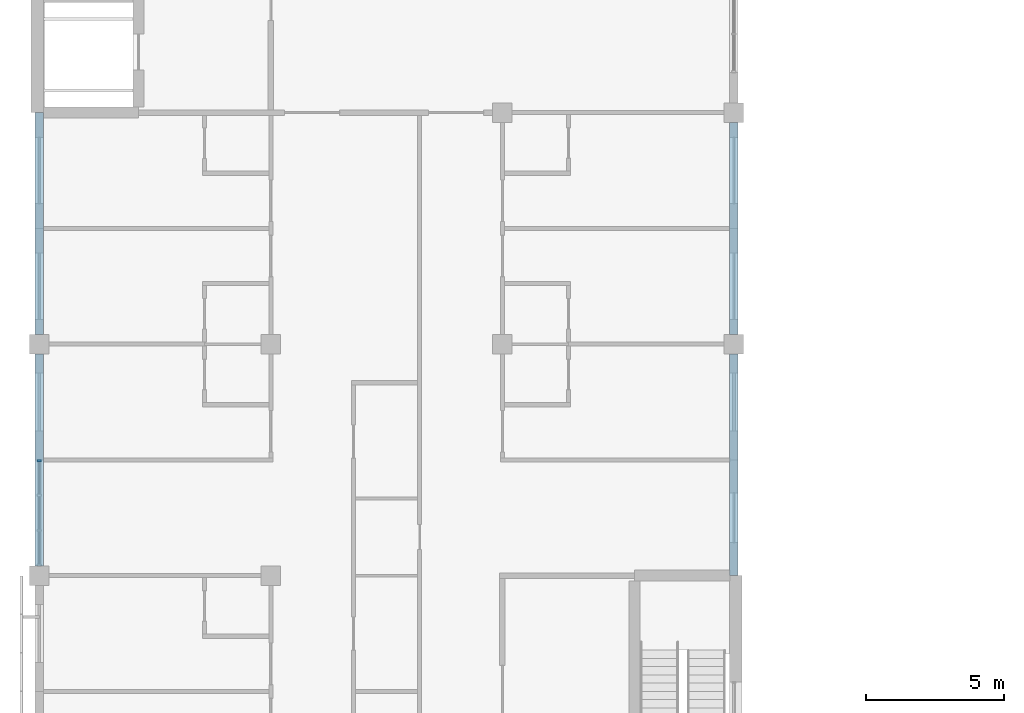
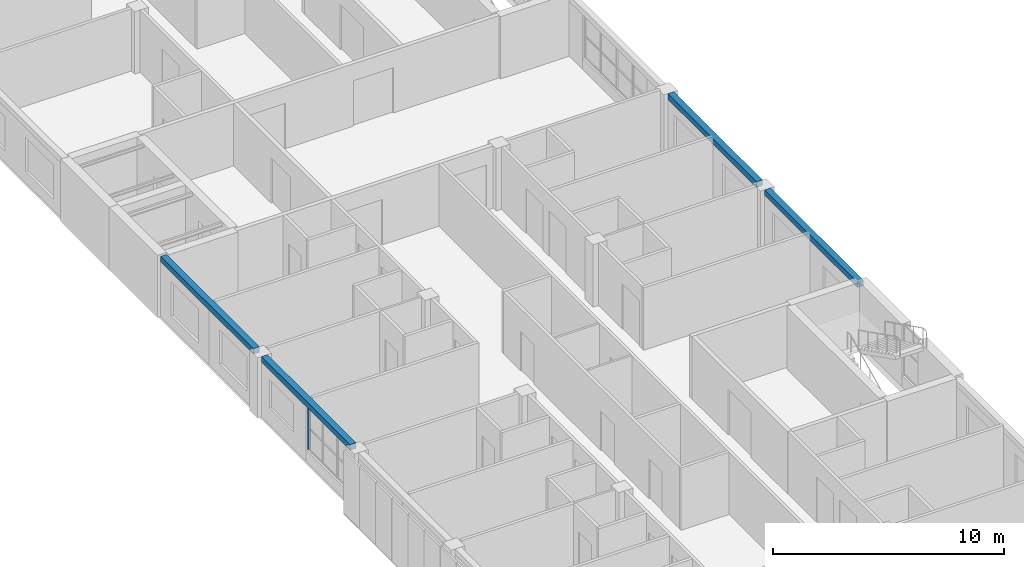
# One storey, part 8 of 48: 4 beams, 1 member, 1 element without a shape of its own.
"""IFC4 building model written with IfcOpenShell, lengths in metres."""

from ifc_helpers import new_model, si_unit, direction, frame, origin, origin_2d, place, context, subcontext, project, spatial, rectangle, extrude, material, material_profile, profile_set, type_object, element, aggregate, save


model = new_model("IFC4")

# Units and contexts
model_context = context("Model", 3, precision=1e-05, world=origin(), true_north=direction((0.0, 1.0)))
body_context = subcontext(model_context, "Body", "Model", "MODEL_VIEW")
ifc_project = project(units=[si_unit("LENGTHUNIT", "METRE"), si_unit("AREAUNIT", "SQUARE_METRE"), si_unit("VOLUMEUNIT", "CUBIC_METRE"), si_unit("PLANEANGLEUNIT", "RADIAN"), si_unit("MASSUNIT", "GRAM", prefix="KILO")], contexts=[model_context])

# Site, building, storey
site_placement = place(None, origin())
site = spatial("IfcSite", under=ifc_project, at=site_placement, CompositionType="ELEMENT")
building_placement = place(site_placement, origin())
building = spatial("IfcBuilding", under=site, at=building_placement, Name="Yavir Park General Hospital", CompositionType="ELEMENT")
storey_placement = place(building_placement, frame((0.0, 0.0, 26.10009765625)))
storey = spatial("IfcBuildingStorey", under=building, at=storey_placement, Name="L06", CompositionType="ELEMENT", Elevation=26.10009765625)

# Curtain wall, member
ifc_material_1 = material(Name="Aluminium curtain wall frame with insulated glazing", Category="aluminium")
curtain_wall_type = type_object("IfcCurtainWallType", Name="Day room pocket glazing, ward floors, 2300 high, 1400 module", PredefinedType="NOTDEFINED", material=ifc_material_1)
curtain_wall_placement = place(storey_placement, origin())
curtain_wall = element("IfcCurtainWall", 1, at=curtain_wall_placement, inside=storey, type_object=curtain_wall_type, Name="CW63 L06-020", PredefinedType="NOTDEFINED")
ifc_material_2 = material(Name="Aluminium", Category="aluminium")
ifc_material_profile_1 = material_profile(ifc_material_2, rectangle(XDim=0.139892578125, YDim=0.06005859375, at=origin_2d()), Name="AL 60x140")
ifc_profile_set_1 = profile_set([ifc_material_profile_1], Name="Aluminium")
member_type = type_object("IfcMemberType", Name="Day room pocket glazing, ward floors, 2300 high mullion 60 x 140", PredefinedType="MULLION", material=ifc_profile_set_1)
member_placement = place(storey_placement, frame((0.0, 54.570068359375, 0.599853515625), z_axis=(0.0, 0.0, 1.0), x_axis=(-1.0, 0.0, 0.0)))
member = element("IfcMember", 2, at=member_placement, type_object=member_type, Name="CW63 mullion 4", PredefinedType="MULLION", context=body_context, shape_type="SweptSolid", body=[
    extrude(rectangle(XDim=0.139892578125, YDim=0.06005859375, at=origin_2d()), origin(), (0.0, 0.0, 1.0), 2.300048828125),
])
aggregate(curtain_wall, [member])

# Beams
ifc_material_3 = material(Name="Concrete C35/45", Category="concrete")
ifc_material_profile_2 = material_profile(ifc_material_3, rectangle(XDim=0.300048828125, YDim=0.300048828125, at=origin_2d()), Name="RC300x300")
ifc_profile_set_2 = profile_set([ifc_material_profile_2], Name="Concrete C35/45")
beam_type = type_object("IfcBeamType", Name="RC BEAM 300x300 edge beam", PredefinedType="BEAM", material=ifc_profile_set_2)
beam_1_placement = place(storey_placement, frame((0.0, 50.75, 3.0498046875), z_axis=(0.0, 1.0, 0.0), x_axis=(-1.0, 0.0, 0.0)))
element("IfcBeam", 3, at=beam_1_placement, inside=storey, type_object=beam_type, Name="B:EDGE:L06:021", PredefinedType="BEAM", context=body_context, shape_type="SweptSolid", body=[
    extrude(rectangle(XDim=0.300048828125, YDim=0.300048828125, at=origin_2d()), origin(), (0.0, 0.0, 1.0), 7.699951171875),
])
for number, where, z_axis, x_axis, name in (
    (4, (0.0, 59.14990234375, 3.0498046875), (0.0, 1.0, 0.0), (-1.0, 0.0, 0.0), "B:EDGE:L06:022"),
    (5, (25.199951171875, 50.39990234375, 3.0498046875), (0.0, 1.0, 0.0), (-1.0, 0.0, 0.0), "B:EDGE:L06:029"),
):
    element("IfcBeam", number, at=place(storey_placement, frame(where, z_axis=z_axis, x_axis=x_axis)), inside=storey, type_object=beam_type, Name=name, PredefinedType="BEAM", context=body_context, shape_type="SweptSolid", body=[
        extrude(rectangle(XDim=0.300048828125, YDim=0.300048828125, at=origin_2d()), origin(), (0.0, 0.0, 1.0), 8.050048828125),
    ])
beam_2_placement = place(storey_placement, frame((25.199951171875, 59.14990234375, 3.0498046875), z_axis=(0.0, 1.0, 0.0), x_axis=(-1.0, 0.0, 0.0)))
element("IfcBeam", 6, at=beam_2_placement, inside=storey, type_object=beam_type, Name="B:EDGE:L06:030", PredefinedType="BEAM", context=body_context, shape_type="SweptSolid", body=[
    extrude(rectangle(XDim=0.300048828125, YDim=0.300048828125, at=origin_2d()), origin(), (0.0, 0.0, 1.0), 7.7001953125),
])

save(model, "model.ifc")
